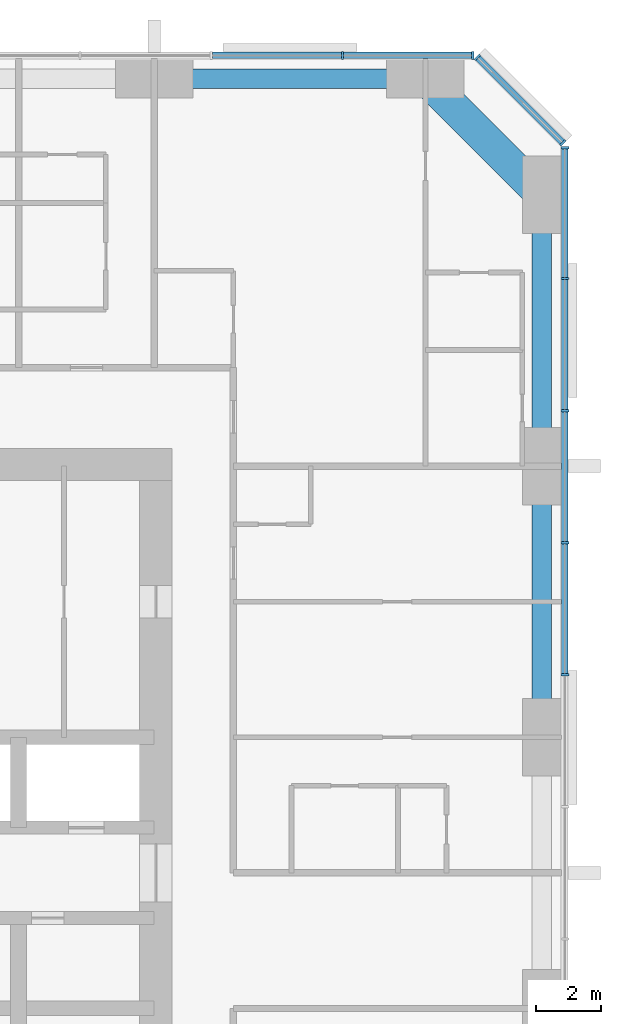
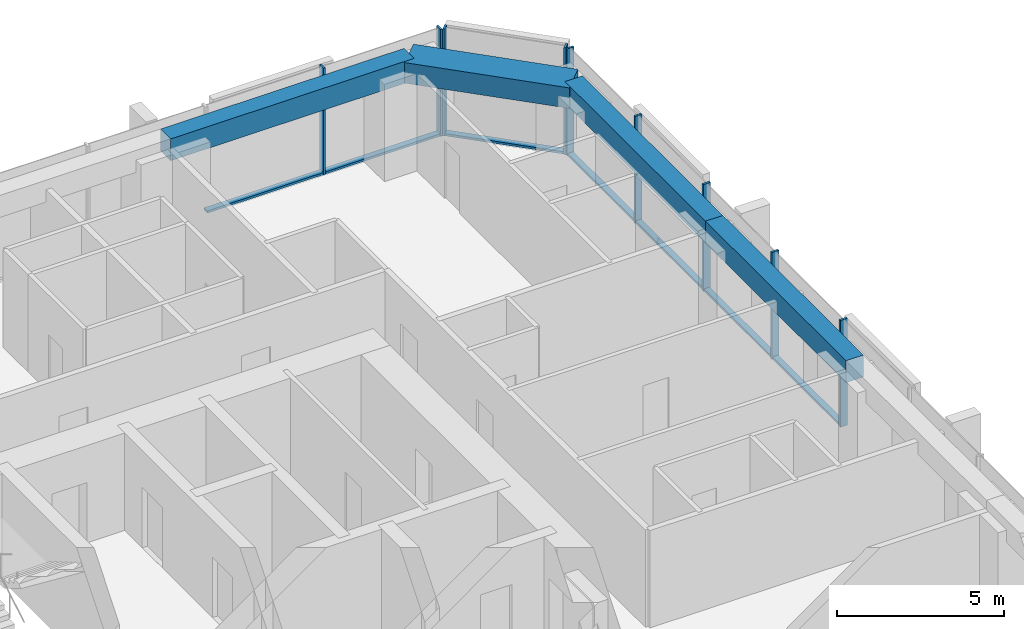
# One storey, part 5 of 12: 16 members, 4 beams, 3 elements without a shape of their own.
"""IFC4 building model written with IfcOpenShell, lengths in metres."""

from ifc_helpers import new_model, si_unit, direction, frame, origin, origin_2d, place, context, subcontext, project, spatial, rectangle, extrude, material, material_profile, profile_set, type_object, element, aggregate, save


model = new_model("IFC4")

# Units and contexts
model_context = context("Model", 3, precision=1e-05, world=origin(), true_north=direction((0.0, 1.0)))
body_context = subcontext(model_context, "Body", "Model", "MODEL_VIEW")
ifc_project = project(units=[si_unit("LENGTHUNIT", "METRE"), si_unit("AREAUNIT", "SQUARE_METRE"), si_unit("VOLUMEUNIT", "CUBIC_METRE"), si_unit("PLANEANGLEUNIT", "RADIAN"), si_unit("MASSUNIT", "GRAM", prefix="KILO")], contexts=[model_context])

# Site, building, storey
site_placement = place(None, origin())
site = spatial("IfcSite", under=ifc_project, at=site_placement, CompositionType="ELEMENT")
building_placement = place(site_placement, origin())
building = spatial("IfcBuilding", under=site, at=building_placement, Name="Dunama Terrace Hotel", CompositionType="ELEMENT")
storey_placement = place(building_placement, frame((0.0, 0.0, 229.5)))
storey = spatial("IfcBuildingStorey", under=building, at=storey_placement, Name="L59", CompositionType="ELEMENT", Elevation=229.5)

# Curtain wall, members
ifc_material_1 = material(Name="Aluminium curtain wall system", Category="aluminium")
curtain_wall_type = type_object("IfcCurtainWallType", Name="Unitised fritted glass wall CW-D", PredefinedType="NOTDEFINED", material=ifc_material_1)
curtain_wall_1_placement = place(storey_placement, origin())
curtain_wall_1 = element("IfcCurtainWall", 1, at=curtain_wall_1_placement, inside=storey, type_object=curtain_wall_type, Name="Unitised fritted glass wall CW-D L59", PredefinedType="NOTDEFINED")
ifc_material_2 = material(Name="Aluminium mullion", Category="aluminium")
ifc_material_profile_1 = material_profile(ifc_material_2, rectangle(XDim=0.070068359375, YDim=0.239990234375, at=origin_2d()), Name="CWD MULLION 70X240")
ifc_profile_set_1 = profile_set([ifc_material_profile_1], Name="Aluminium mullion")
member_type_1 = type_object("IfcMemberType", Name="CWD mullion 70x240", PredefinedType="MULLION", material=ifc_profile_set_1)
member_1_placement = place(storey_placement, frame((54.719970703125, 35.535888671875, 0.0), z_axis=(0.0, 0.0, 1.0), x_axis=(0.0, 1.0, 0.0)))
member_1 = element("IfcMember", 2, at=member_1_placement, type_object=member_type_1, Name="CWD mullion", PredefinedType="MULLION", context=body_context, shape_type="SweptSolid", body=[
    extrude(rectangle(XDim=0.070068359375, YDim=0.239990234375, at=origin_2d()), origin(), (0.0, 0.0, 1.0), 3.89990234375),
])
member_2_placement = place(storey_placement, frame((54.719970703125, 39.626953125, 0.0), z_axis=(0.0, 0.0, 1.0), x_axis=(0.0, 1.0, 0.0)))
member_2 = element("IfcMember", 3, at=member_2_placement, type_object=member_type_1, Name="CWD mullion", PredefinedType="MULLION", context=body_context, shape_type="SweptSolid", body=[
    extrude(rectangle(XDim=0.070068359375, YDim=0.239990234375, at=origin_2d()), origin(), (0.0, 0.0, 1.0), 3.89990234375),
])
member_3_placement = place(storey_placement, frame((54.719970703125, 43.718017578125, 0.0), z_axis=(0.0, 0.0, 1.0), x_axis=(0.0, 1.0, 0.0)))
member_3 = element("IfcMember", 4, at=member_3_placement, type_object=member_type_1, Name="CWD mullion", PredefinedType="MULLION", context=body_context, shape_type="SweptSolid", body=[
    extrude(rectangle(XDim=0.070068359375, YDim=0.239990234375, at=origin_2d()), origin(), (0.0, 0.0, 1.0), 3.89990234375),
])
member_4_placement = place(storey_placement, frame((54.719970703125, 47.80908203125, 0.0), z_axis=(0.0, 0.0, 1.0), x_axis=(0.0, 1.0, 0.0)))
member_4 = element("IfcMember", 5, at=member_4_placement, type_object=member_type_1, Name="CWD mullion", PredefinedType="MULLION", context=body_context, shape_type="SweptSolid", body=[
    extrude(rectangle(XDim=0.070068359375, YDim=0.239990234375, at=origin_2d()), origin(), (0.0, 0.0, 1.0), 3.89990234375),
])
member_5_placement = place(storey_placement, frame((54.719970703125, 51.864990234375, 0.0), z_axis=(0.0, 0.0, 1.0), x_axis=(0.0, 1.0, 0.0)))
member_5 = element("IfcMember", 6, at=member_5_placement, type_object=member_type_1, Name="CWD mullion", PredefinedType="MULLION", context=body_context, shape_type="SweptSolid", body=[
    extrude(rectangle(XDim=0.070068359375, YDim=0.239990234375, at=origin_2d()), origin(), (0.0, 0.0, 1.0), 3.89990234375),
])

curtain_wall_2_placement = place(storey_placement, origin())
curtain_wall_2 = element("IfcCurtainWall", 7, at=curtain_wall_2_placement, inside=storey, type_object=curtain_wall_type, Name="Unitised fritted glass wall CW-D L59", PredefinedType="NOTDEFINED")
member_6_placement = place(storey_placement, frame((54.659912109375, 52.010009765625, 0.0), z_axis=(0.0, 0.0, 1.0), x_axis=(-0.707106781187, 0.707106781187, 0.0)))
member_6 = element("IfcMember", 8, at=member_6_placement, type_object=member_type_1, Name="CWD mullion", PredefinedType="MULLION", context=body_context, shape_type="SweptSolid", body=[
    extrude(rectangle(XDim=0.070068359375, YDim=0.239990234375, at=origin_2d()), origin(), (0.0, 0.0, 1.0), 3.89990234375),
])
member_7_placement = place(storey_placement, frame((52.010009765625, 54.659912109375, 0.0), z_axis=(0.0, 0.0, 1.0), x_axis=(-0.707106781187, 0.707106781187, 0.0)))
member_7 = element("IfcMember", 9, at=member_7_placement, type_object=member_type_1, Name="CWD mullion", PredefinedType="MULLION", context=body_context, shape_type="SweptSolid", body=[
    extrude(rectangle(XDim=0.070068359375, YDim=0.239990234375, at=origin_2d()), origin(), (0.0, 0.0, 1.0), 3.89990234375),
])

curtain_wall_3_placement = place(storey_placement, origin())
curtain_wall_3 = element("IfcCurtainWall", 10, at=curtain_wall_3_placement, inside=storey, type_object=curtain_wall_type, Name="Unitised fritted glass wall CW-D L59", PredefinedType="NOTDEFINED")
member_8_placement = place(storey_placement, frame((51.864990234375, 54.719970703125, 0.0), z_axis=(0.0, 0.0, 1.0), x_axis=(-1.0, 0.0, 0.0)))
member_8 = element("IfcMember", 11, at=member_8_placement, type_object=member_type_1, Name="CWD mullion", PredefinedType="MULLION", context=body_context, shape_type="SweptSolid", body=[
    extrude(rectangle(XDim=0.070068359375, YDim=0.239990234375, at=origin_2d()), origin(), (0.0, 0.0, 1.0), 3.89990234375),
])
member_9_placement = place(storey_placement, frame((47.8330078125, 54.719970703125, 0.0), z_axis=(0.0, 0.0, 1.0), x_axis=(-1.0, 0.0, 0.0)))
member_9 = element("IfcMember", 12, at=member_9_placement, type_object=member_type_1, Name="CWD mullion", PredefinedType="MULLION", context=body_context, shape_type="SweptSolid", body=[
    extrude(rectangle(XDim=0.070068359375, YDim=0.239990234375, at=origin_2d()), origin(), (0.0, 0.0, 1.0), 3.89990234375),
])

# Member
ifc_material_3 = material(Name="Aluminium transom", Category="aluminium")
ifc_material_profile_2 = material_profile(ifc_material_3, rectangle(XDim=0.199951171875, YDim=0.0849609375, at=origin_2d()), Name="CWD TRANSOM 200X85")
ifc_profile_set_2 = profile_set([ifc_material_profile_2], Name="Aluminium transom")
member_type_2 = type_object("IfcMemberType", Name="CWD transom 200x85", PredefinedType="USERDEFINED", material=ifc_profile_set_2)
member_10_placement = place(storey_placement, frame((54.719970703125, 35.571044921875, 0.04248046875), z_axis=(0.0, 1.0, 0.0), x_axis=(-1.0, 0.0, 0.0)))
member_10 = element("IfcMember", 13, at=member_10_placement, type_object=member_type_2, Name="CWD transom", ObjectType="TRANSOM", PredefinedType="USERDEFINED", context=body_context, shape_type="SweptSolid", body=[
    extrude(rectangle(XDim=0.199951171875, YDim=0.0849609375, at=origin_2d()), origin(), (0.0, 0.0, 1.0), 4.02099609375),
])

member_11_placement = place(storey_placement, frame((54.719970703125, 39.662109375, 0.04248046875), z_axis=(0.0, 1.0, 0.0), x_axis=(-1.0, 0.0, 0.0)))
member_11 = element("IfcMember", 14, at=member_11_placement, type_object=member_type_2, Name="CWD transom", ObjectType="TRANSOM", PredefinedType="USERDEFINED", context=body_context, shape_type="SweptSolid", body=[
    extrude(rectangle(XDim=0.199951171875, YDim=0.0849609375, at=origin_2d()), origin(), (0.0, 0.0, 1.0), 4.02099609375),
])

member_12_placement = place(storey_placement, frame((54.719970703125, 43.7529296875, 0.04248046875), z_axis=(0.0, 1.0, 0.0), x_axis=(-1.0, 0.0, 0.0)))
member_12 = element("IfcMember", 15, at=member_12_placement, type_object=member_type_2, Name="CWD transom", ObjectType="TRANSOM", PredefinedType="USERDEFINED", context=body_context, shape_type="SweptSolid", body=[
    extrude(rectangle(XDim=0.199951171875, YDim=0.0849609375, at=origin_2d()), origin(), (0.0, 0.0, 1.0), 4.02099609375),
])

member_13_placement = place(storey_placement, frame((54.719970703125, 47.843994140625, 0.04248046875), z_axis=(0.0, 1.0, 0.0), x_axis=(-1.0, 0.0, 0.0)))
member_13 = element("IfcMember", 16, at=member_13_placement, type_object=member_type_2, Name="CWD transom", ObjectType="TRANSOM", PredefinedType="USERDEFINED", context=body_context, shape_type="SweptSolid", body=[
    extrude(rectangle(XDim=0.199951171875, YDim=0.0849609375, at=origin_2d()), origin(), (0.0, 0.0, 1.0), 3.986083984375),
])

aggregate(curtain_wall_1, [member_1, member_2, member_3, member_4, member_5, member_10, member_11, member_12, member_13])

member_14_placement = place(storey_placement, frame((54.635009765625, 52.033935546875, 0.04248046875), z_axis=(-0.707106781187, 0.707106781187, 0.0), x_axis=(-0.707106781187, -0.707106781187, 0.0)))
member_14 = element("IfcMember", 17, at=member_14_placement, type_object=member_type_2, Name="CWD transom", ObjectType="TRANSOM", PredefinedType="USERDEFINED", context=body_context, shape_type="SweptSolid", body=[
    extrude(rectangle(XDim=0.199951171875, YDim=0.0849609375, at=origin_2d()), origin(), (0.0, 0.0, 1.0), 3.678466796875),
])

aggregate(curtain_wall_2, [member_6, member_7, member_14])

member_15_placement = place(storey_placement, frame((51.830078125, 54.719970703125, 0.04248046875), z_axis=(-1.0, 0.0, 0.0), x_axis=(0.0, -1.0, 0.0)))
member_15 = element("IfcMember", 18, at=member_15_placement, type_object=member_type_2, Name="CWD transom", ObjectType="TRANSOM", PredefinedType="USERDEFINED", context=body_context, shape_type="SweptSolid", body=[
    extrude(rectangle(XDim=0.199951171875, YDim=0.0849609375, at=origin_2d()), origin(), (0.0, 0.0, 1.0), 3.962158203125),
])

member_16_placement = place(storey_placement, frame((47.798095703125, 54.719970703125, 0.04248046875), z_axis=(-1.0, 0.0, 0.0), x_axis=(0.0, -1.0, 0.0)))
member_16 = element("IfcMember", 19, at=member_16_placement, type_object=member_type_2, Name="CWD transom", ObjectType="TRANSOM", PredefinedType="USERDEFINED", context=body_context, shape_type="SweptSolid", body=[
    extrude(rectangle(XDim=0.199951171875, YDim=0.0849609375, at=origin_2d()), origin(), (0.0, 0.0, 1.0), 3.99609375),
])

aggregate(curtain_wall_3, [member_8, member_9, member_15, member_16])

# Beams
ifc_material_4 = material(Name="Concrete C50/60", Category="concrete")
ifc_material_profile_3 = material_profile(ifc_material_4, rectangle(XDim=1.0, YDim=0.75, at=origin_2d()), Name="RC 1000x750")
ifc_profile_set_3 = profile_set([ifc_material_profile_3], Name="Concrete C50/60")
beam_type_1 = type_object("IfcBeamType", Name="Edge beam RC 1000x750", PredefinedType="SPANDREL", material=ifc_profile_set_3)
beam_placement = place(storey_placement, frame((50.39990234375, 54.0, 3.52490234375), z_axis=(0.707106781187, -0.707106781187, 0.0), x_axis=(0.707106781187, 0.707106781187, 0.0)))
element("IfcBeam", 20, at=beam_placement, inside=storey, type_object=beam_type_1, Name="Corner edge beam under L60", PredefinedType="SPANDREL", context=body_context, shape_type="SweptSolid", body=[
    extrude(rectangle(XDim=1.0, YDim=0.75, at=origin_2d()), origin(), (0.0, 0.0, 1.0), 5.09130859375),
])
ifc_material_5 = material(Name="Concrete C40/50", Category="concrete")
ifc_material_profile_4 = material_profile(ifc_material_5, rectangle(XDim=0.60009765625, YDim=0.800048828125, at=origin_2d()), Name="RC 600x800")
ifc_profile_set_4 = profile_set([ifc_material_profile_4], Name="Concrete C40/50")
beam_type_2 = type_object("IfcBeamType", Name="Edge beam RC 600x800", PredefinedType="SPANDREL", material=ifc_profile_set_4)
for number, where, z_axis, x_axis, name in (
    (21, (54.0, 33.60009765625, 3.5), (0.0, 1.0, 0.0), (-1.0, 0.0, 0.0), "Edge beam under L60"),
    (22, (54.0, 42.0, 3.5), (0.0, 1.0, 0.0), (-1.0, 0.0, 0.0), "Edge beam under L60"),
    (23, (42.0, 54.0, 3.5), (1.0, 0.0, 0.0), (0.0, 1.0, 0.0), "Edge beam under L60"),
):
    element("IfcBeam", number, at=place(storey_placement, frame(where, z_axis=z_axis, x_axis=x_axis)), inside=storey, type_object=beam_type_2, Name=name, PredefinedType="SPANDREL", context=body_context, shape_type="SweptSolid", body=[
        extrude(rectangle(XDim=0.60009765625, YDim=0.800048828125, at=origin_2d()), origin(), (0.0, 0.0, 1.0), 8.39990234375),
    ])

save(model, "model.ifc")
